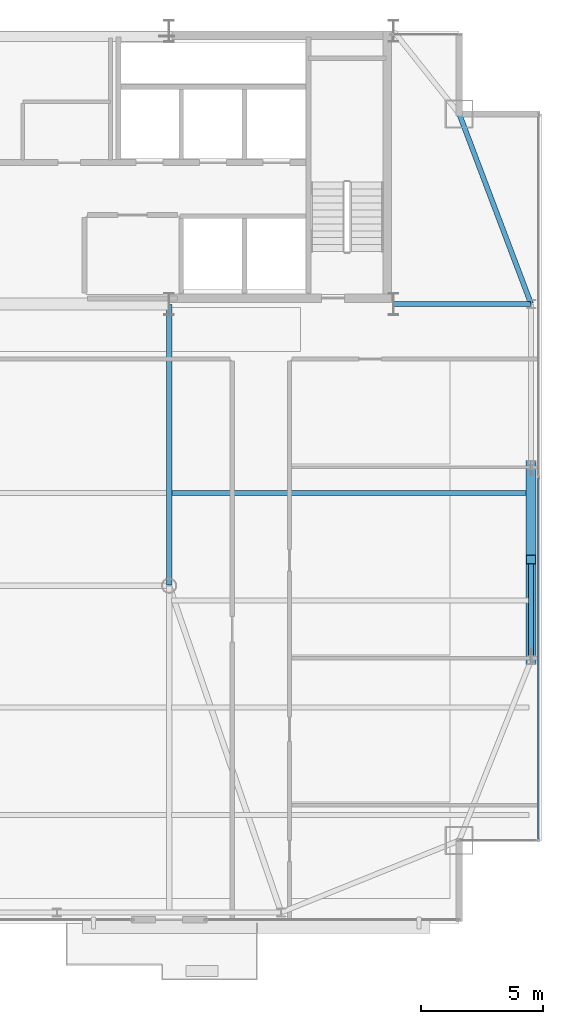
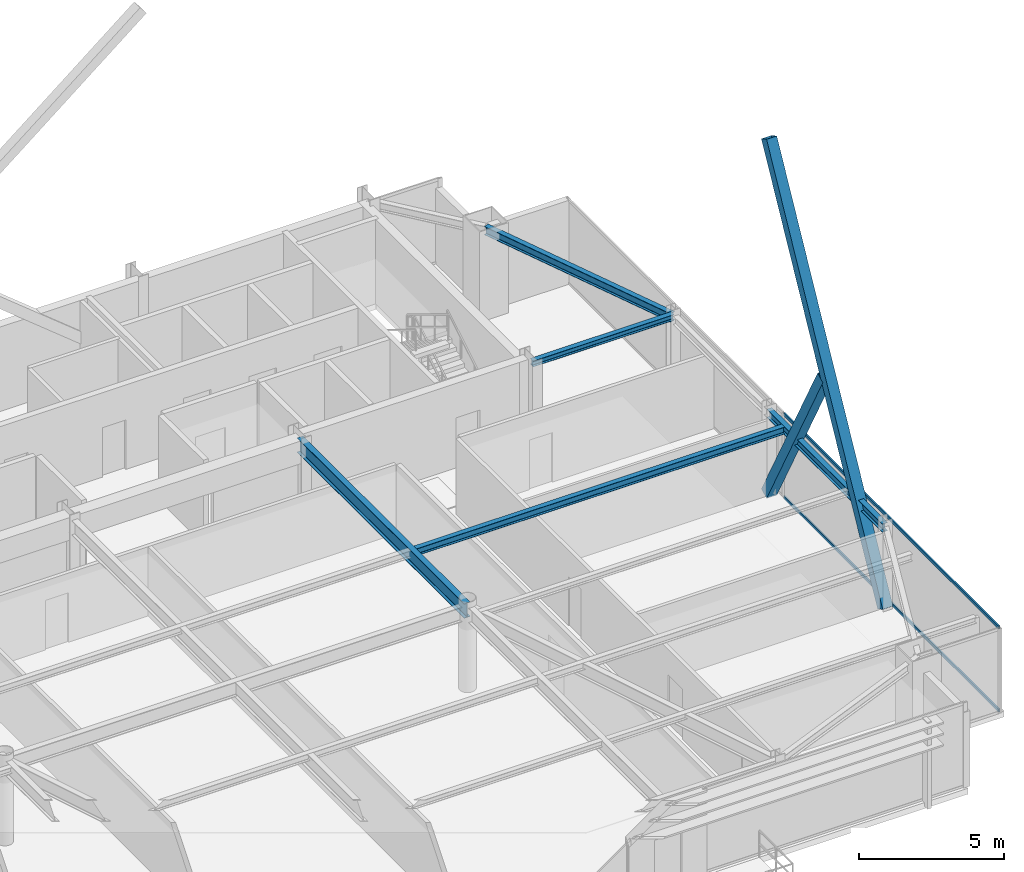
# One storey, part 18 of 31: 5 beams, 4 members, 1 element without a shape of its own.
"""IFC4 building model written with IfcOpenShell, lengths in metres."""

from ifc_helpers import new_model, si_unit, direction, frame, origin, origin_2d, place, context, subcontext, project, spatial, hollow_rectangle, i_section, extrude, source, transform, mapped, material, layer, layer_set, material_profile, profile_set, type_object, type_shapes, element, aggregate, save


model = new_model("IFC4")

# Units and contexts
model_context = context("Model", 3, precision=1e-05, world=origin(), true_north=direction((0.0, 1.0)))
body_context = subcontext(model_context, "Body", "Model", "MODEL_VIEW")
ifc_project = project(units=[si_unit("LENGTHUNIT", "METRE"), si_unit("AREAUNIT", "SQUARE_METRE"), si_unit("VOLUMEUNIT", "CUBIC_METRE"), si_unit("PLANEANGLEUNIT", "RADIAN"), si_unit("MASSUNIT", "GRAM", prefix="KILO")], contexts=[model_context])

# Site, building, storey
site_placement = place(None, origin())
site = spatial("IfcSite", under=ifc_project, at=site_placement, CompositionType="ELEMENT")
building_placement = place(site_placement, origin())
building = spatial("IfcBuilding", under=site, at=building_placement, Name="Varnel Quay Broadcast Tower", CompositionType="ELEMENT")
storey_placement = place(building_placement, frame((0.0, 0.0, 215.0)))
storey = spatial("IfcBuildingStorey", under=building, at=storey_placement, Name="L53", CompositionType="ELEMENT", Elevation=215.0)

# Beams
ifc_material_1 = material(Name="Structural Steel CSA G40.21 350W", Category="steel")
ifc_material_profile_1 = material_profile(ifc_material_1, i_section(OverallWidth=0.205078125, OverallDepth=0.35400390625, WebThickness=0.009521484375, FlangeThickness=0.016845703125, FilletRadius=0.012939453125, at=origin_2d()), Name="W360X79")
ifc_profile_set_1 = profile_set([ifc_material_profile_1], Name="Structural Steel CSA G40.21 350W")
beam_type_1 = type_object("IfcBeamType", Name="Beam_W360X79", PredefinedType="SPANDREL", material=ifc_profile_set_1)
shared_shape_1 = source(origin(), body_context, "Body", "SweptSolid", [
    extrude(i_section(OverallWidth=0.205078125, OverallDepth=0.35400390625, WebThickness=0.009521484375, FlangeThickness=0.016845703125, FilletRadius=0.012939453125, at=origin_2d()), origin(), (0.0, 0.0, 1.0), 7.9599609375),
])
beam_1_placement = place(storey_placement, frame((58.050048828125, 21.02001953125, 3.373046875), z_axis=(0.0, 1.0, 0.0), x_axis=(-1.0, 0.0, 0.0)))
element("IfcBeam", 1, at=beam_1_placement, inside=storey, type_object=beam_type_1, Name="L53 East Spandrel TC-E1-TC-E2", PredefinedType="SPANDREL", context=body_context, shape_type="MappedRepresentation", body=[
    mapped(shared_shape_1, transform((0.0, 0.0, 0.0), x_axis=(1.0, 0.0, 0.0), y_axis=(0.0, 1.0, 0.0), z_axis=(0.0, 0.0, 1.0), scale=1.0)),
])
shared_shape_2 = source(origin(), body_context, "Body", "SweptSolid", [
    extrude(i_section(OverallWidth=0.205078125, OverallDepth=0.35400390625, WebThickness=0.009521484375, FlangeThickness=0.016845703125, FilletRadius=0.012939453125, at=origin_2d()), origin(), (0.0, 0.0, 1.0), 8.29931640625),
])
type_shapes(beam_type_1, [shared_shape_1, shared_shape_2])
beam_2_placement = place(storey_placement, frame((58.04296875, 35.61865234375, 3.373046875), z_axis=(-0.353739782058, 0.935343876117, 0.0), x_axis=(-0.935343876117, -0.353739782058, 0.0)))
element("IfcBeam", 2, at=beam_2_placement, inside=storey, type_object=beam_type_1, Name="L53 East Spandrel TC-E3-MC-NE", PredefinedType="SPANDREL", context=body_context, shape_type="MappedRepresentation", body=[
    mapped(shared_shape_2, transform((0.0, 0.0, 0.0), x_axis=(1.0, 0.0, 0.0), y_axis=(0.0, 1.0, 0.0), z_axis=(0.0, 0.0, 1.0), scale=1.0)),
])
ifc_material_profile_2 = material_profile(ifc_material_1, i_section(OverallWidth=0.22998046875, OverallDepth=0.616943359375, WebThickness=0.01318359375, FlangeThickness=0.022216796875, FilletRadius=0.01611328125, at=origin_2d()), Name="W610X140")
ifc_profile_set_2 = profile_set([ifc_material_profile_2], Name="Structural Steel CSA G40.21 350W")
beam_type_2 = type_object("IfcBeamType", Name="Girder_W610X140", PredefinedType="BEAM", material=ifc_profile_set_2)
shared_shape_3 = source(origin(), body_context, "Body", "SweptSolid", [
    extrude(i_section(OverallWidth=0.22998046875, OverallDepth=0.616943359375, WebThickness=0.01318359375, FlangeThickness=0.022216796875, FilletRadius=0.01611328125, at=origin_2d()), origin(), (0.0, 0.0, 1.0), 11.510009765625),
])
type_shapes(beam_type_2, [shared_shape_3])
beam_3_placement = place(storey_placement, frame((43.199951171875, 24.070068359375, 3.241455078125), z_axis=(0.0, 1.0, 0.0), x_axis=(-1.0, 0.0, 0.0)))
element("IfcBeam", 3, at=beam_3_placement, inside=storey, type_object=beam_type_2, Name="L53 Primary Girder IC-02-CC-S4", PredefinedType="BEAM", context=body_context, shape_type="MappedRepresentation", body=[
    mapped(shared_shape_3, transform((0.0, 0.0, 0.0), x_axis=(1.0, 0.0, 0.0), y_axis=(0.0, 1.0, 0.0), z_axis=(0.0, 0.0, 1.0), scale=1.0)),
])
ifc_material_profile_3 = material_profile(ifc_material_1, i_section(OverallWidth=0.201904296875, OverallDepth=0.2470703125, WebThickness=0.00732421875, FlangeThickness=0.010986328125, FilletRadius=0.010986328125, at=origin_2d()), Name="W250X49")
ifc_profile_set_3 = profile_set([ifc_material_profile_3], Name="Structural Steel CSA G40.21 350W")
beam_type_3 = type_object("IfcBeamType", Name="Beam_W250X49", PredefinedType="JOIST", material=ifc_profile_set_3)
shared_shape_4 = source(origin(), body_context, "Body", "SweptSolid", [
    extrude(i_section(OverallWidth=0.201904296875, OverallDepth=0.2470703125, WebThickness=0.00732421875, FlangeThickness=0.010986328125, FilletRadius=0.010986328125, at=origin_2d()), origin(), (0.0, 0.0, 1.0), 5.610107421875),
])
type_shapes(beam_type_3, [shared_shape_4])
beam_4_placement = place(storey_placement, frame((52.419921875, 35.60009765625, 3.426513671875), z_axis=(1.0, 0.0, 0.0), x_axis=(0.0, 1.0, 0.0)))
element("IfcBeam", 4, at=beam_4_placement, inside=storey, type_object=beam_type_3, Name="L53 East Core Tie Joist", PredefinedType="JOIST", context=body_context, shape_type="MappedRepresentation", body=[
    mapped(shared_shape_4, transform((0.0, 0.0, 0.0), x_axis=(1.0, 0.0, 0.0), y_axis=(0.0, 1.0, 0.0), z_axis=(0.0, 0.0, 1.0), scale=1.0)),
])
ifc_material_profile_4 = material_profile(ifc_material_1, i_section(OverallWidth=0.202880859375, OverallDepth=0.302978515625, WebThickness=0.007568359375, FlangeThickness=0.01318359375, FilletRadius=0.011962890625, at=origin_2d()), Name="W310X60")
ifc_profile_set_4 = profile_set([ifc_material_profile_4], Name="Structural Steel CSA G40.21 350W")
beam_type_4 = type_object("IfcBeamType", Name="Beam_W310X60", PredefinedType="JOIST", material=ifc_profile_set_4)
shared_shape_5 = source(origin(), body_context, "Body", "SweptSolid", [
    extrude(i_section(OverallWidth=0.202880859375, OverallDepth=0.302978515625, WebThickness=0.007568359375, FlangeThickness=0.01318359375, FilletRadius=0.011962890625, at=origin_2d()), origin(), (0.0, 0.0, 1.0), 14.642333984375),
])
type_shapes(beam_type_4, [shared_shape_5])
beam_5_placement = place(storey_placement, frame((43.31005859375, 27.85009765625, 3.3984375), z_axis=(1.0, 0.0, 0.0), x_axis=(0.0, 1.0, 0.0)))
element("IfcBeam", 5, at=beam_5_placement, inside=storey, type_object=beam_type_4, Name="L53 East Floor Joist 4", PredefinedType="JOIST", context=body_context, shape_type="MappedRepresentation", body=[
    mapped(shared_shape_5, transform((0.0, 0.0, 0.0), x_axis=(1.0, 0.0, 0.0), y_axis=(0.0, 1.0, 0.0), z_axis=(0.0, 0.0, 1.0), scale=1.0)),
])

# Members
ifc_material_profile_5 = material_profile(ifc_material_1, hollow_rectangle(XDim=0.406005859375, YDim=0.406005859375, WallThickness=0.01611328125, at=origin_2d()), Name="HSS406X406X16")
ifc_profile_set_5 = profile_set([ifc_material_profile_5], Name="Structural Steel CSA G40.21 350W")
member_type_1 = type_object("IfcMemberType", Name="Brace_HSS406X406X16", PredefinedType="BRACE", material=ifc_profile_set_5)
shared_shape_6 = source(origin(), body_context, "Body", "SweptSolid", [
    extrude(hollow_rectangle(XDim=0.406005859375, YDim=0.406005859375, WallThickness=0.01611328125, at=origin_2d()), origin(), (0.0, 0.0, 1.0), 16.920654296875),
])
member_1_placement = place(storey_placement, frame((58.050048828125, 21.0, 0.02001953125), z_axis=(0.0, 0.472797484609, 0.881171117631), x_axis=(-1.0, 0.0, 0.0)))
element("IfcMember", 6, at=member_1_placement, inside=storey, type_object=member_type_1, Name="Zone 4 Mega-Brace E-FT2 Continuous Diag A", PredefinedType="BRACE", context=body_context, shape_type="MappedRepresentation", body=[
    mapped(shared_shape_6, transform((0.0, 0.0, 0.0), x_axis=(1.0, 0.0, 0.0), y_axis=(0.0, 1.0, 0.0), z_axis=(0.0, 0.0, 1.0), scale=1.0)),
])
shared_shape_7 = source(origin(), body_context, "Body", "SweptSolid", [
    extrude(hollow_rectangle(XDim=0.406005859375, YDim=0.406005859375, WallThickness=0.01611328125, at=origin_2d()), origin(), (0.0, 0.0, 1.0), 8.191650390625),
])
type_shapes(member_type_1, [shared_shape_6, shared_shape_7])
member_2_placement = place(storey_placement, frame((58.050048828125, 29.0, 0.02001953125), z_axis=(0.0, -0.47280190134, 0.881168747794), x_axis=(1.0, 0.0, 0.0)))
element("IfcMember", 7, at=member_2_placement, inside=storey, type_object=member_type_1, Name="Zone 4 Mega-Brace E-FT2 Split Diag B1", PredefinedType="BRACE", context=body_context, shape_type="MappedRepresentation", body=[
    mapped(shared_shape_7, transform((0.0, 0.0, 0.0), x_axis=(1.0, 0.0, 0.0), y_axis=(0.0, 1.0, 0.0), z_axis=(0.0, 0.0, 1.0), scale=1.0)),
])

# Curtain wall, members
ifc_material_2 = material(Name="Anodised Bronze Aluminium 6063-T6", Category="aluminium")
ifc_layer = layer(ifc_material_2, 0.18994140625, Name="Anodised Bronze Aluminium 6063-T6")
ifc_layer_set = layer_set([ifc_layer], Name="Anodised Bronze Aluminium 6063-T6")
curtain_wall_type = type_object("IfcCurtainWallType", Name="CW_UpperTower", PredefinedType="NOTDEFINED", material=ifc_layer_set)
curtain_wall_placement = place(storey_placement, origin())
curtain_wall = element("IfcCurtainWall", 8, at=curtain_wall_placement, inside=storey, type_object=curtain_wall_type, Name="L53 East Unitised Curtain Wall", PredefinedType="NOTDEFINED")
ifc_material_profile_6 = material_profile(ifc_material_2, hollow_rectangle(XDim=0.06005859375, YDim=0.125, WallThickness=0.0029296875, at=origin_2d()), Name="ALU60X125X3")
ifc_profile_set_6 = profile_set([ifc_material_profile_6], Name="Anodised Bronze Aluminium 6063-T6")
member_type_2 = type_object("IfcMemberType", Name="Tran_CWS-03", PredefinedType="USERDEFINED", material=ifc_profile_set_6)
shared_shape_8 = source(origin(), body_context, "Body", "SweptSolid", [
    extrude(hollow_rectangle(XDim=0.06005859375, YDim=0.125, WallThickness=0.0029296875, at=origin_2d()), origin(), (0.0, 0.0, 1.0), 14.802490234375),
])
type_shapes(member_type_2, [shared_shape_8])
member_3_placement = place(storey_placement, frame((58.35009765625, 13.6650390625, 0.030029296875), z_axis=(0.0, 1.0, 0.0), x_axis=(-1.0, 0.0, 0.0)))
member_3 = element("IfcMember", 9, at=member_3_placement, type_object=member_type_2, Name="CWS-03 transom 1.1", ObjectType="TRANSOM", PredefinedType="USERDEFINED", context=body_context, shape_type="MappedRepresentation", body=[
    mapped(shared_shape_8, transform((0.0, 0.0, 0.0), x_axis=(1.0, 0.0, 0.0), y_axis=(0.0, 1.0, 0.0), z_axis=(0.0, 0.0, 1.0), scale=1.0)),
])
member_4_placement = place(storey_placement, frame((58.35009765625, 13.6650390625, 3.52001953125), z_axis=(0.0, 1.0, 0.0), x_axis=(-1.0, 0.0, 0.0)))
member_4 = element("IfcMember", 10, at=member_4_placement, type_object=member_type_2, Name="CWS-03 transom 1.2", ObjectType="TRANSOM", PredefinedType="USERDEFINED", context=body_context, shape_type="MappedRepresentation", body=[
    mapped(shared_shape_8, transform((0.0, 0.0, 0.0), x_axis=(1.0, 0.0, 0.0), y_axis=(0.0, 1.0, 0.0), z_axis=(0.0, 0.0, 1.0), scale=1.0)),
])
aggregate(curtain_wall, [member_3, member_4])

save(model, "model.ifc")
